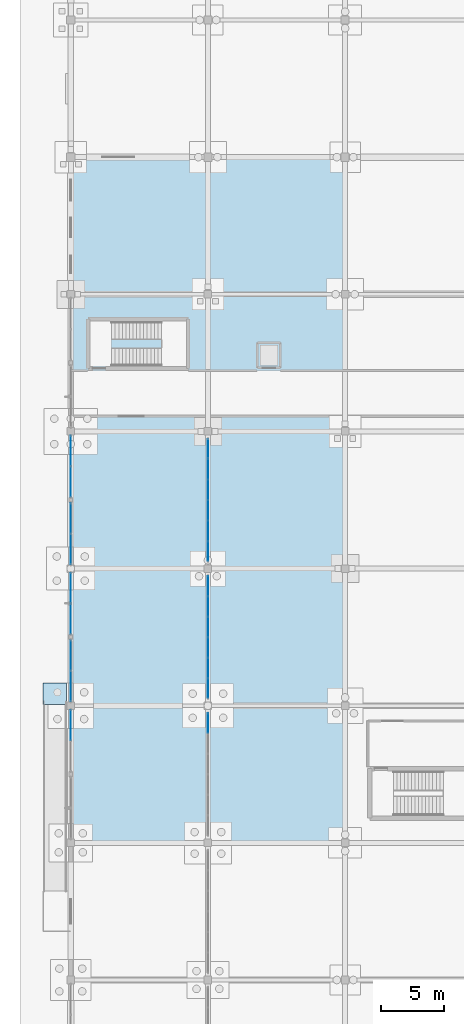
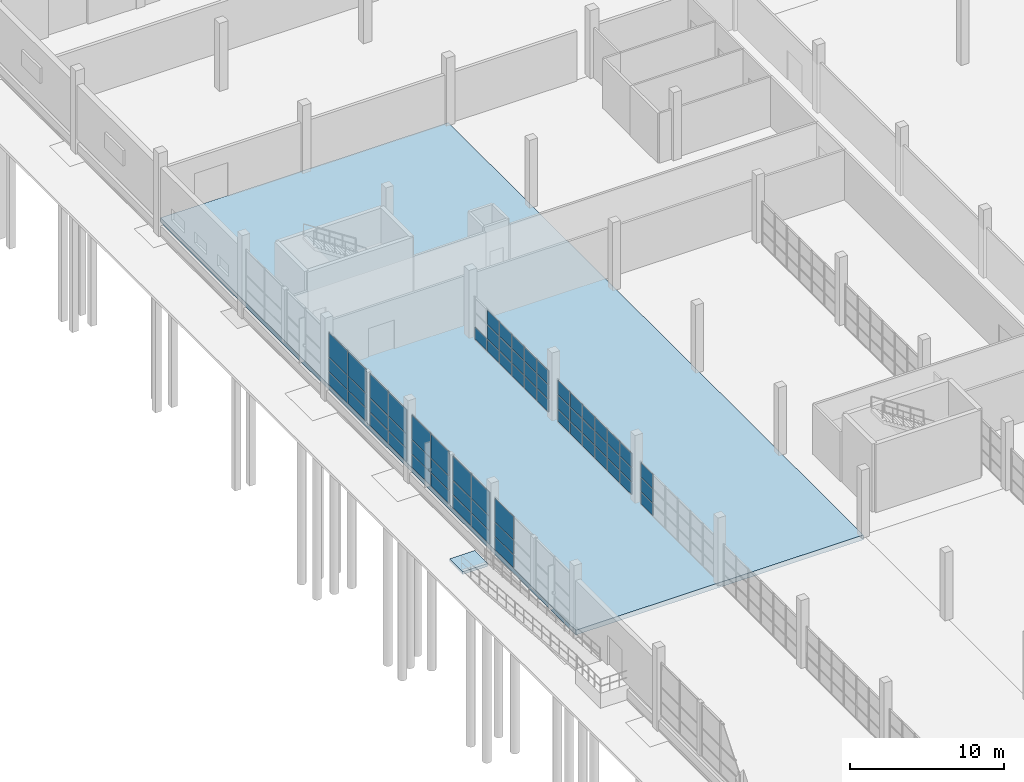
# One storey, part 87 of 138: 64 plates, 2 slabs, 8 elements without a shape of their own.
"""IFC4 building model written with IfcOpenShell, lengths in metres."""

from ifc_helpers import new_model, si_unit, direction, frame, origin, origin_2d, place, context, subcontext, project, spatial, polyline, rectangle, outline, extrude, material, layer, layer_set, type_object, element, aggregate, save


model = new_model("IFC4")

# Units and contexts
model_context = context("Model", 3, precision=1e-05, world=origin(), true_north=direction((0.0, 1.0)))
body_context = subcontext(model_context, "Body", "Model", "MODEL_VIEW")
ifc_project = project(units=[si_unit("LENGTHUNIT", "METRE"), si_unit("AREAUNIT", "SQUARE_METRE"), si_unit("VOLUMEUNIT", "CUBIC_METRE"), si_unit("PLANEANGLEUNIT", "RADIAN"), si_unit("MASSUNIT", "GRAM", prefix="KILO")], contexts=[model_context])

# Site, building, storey
site_placement = place(None, origin())
site = spatial("IfcSite", under=ifc_project, at=site_placement, CompositionType="ELEMENT")
building_placement = place(site_placement, origin())
building = spatial("IfcBuilding", under=site, at=building_placement, Name="Zwinboog Wholesale Market", CompositionType="ELEMENT")
storey_placement = place(building_placement, origin())
storey = spatial("IfcBuildingStorey", under=building, at=storey_placement, Name="L00", CompositionType="ELEMENT", Elevation=0.0)

# Slab
ifc_material_1 = material(Name="Precast concrete C45/55", Category="concrete")
ifc_layer_1 = layer(ifc_material_1, 0.3798828125)
ifc_layer_set_1 = layer_set([ifc_layer_1], Name="Precast concrete C45/55")
slab_type_1 = type_object("IfcSlabType", Name="SLT-BS-380", PredefinedType="BASESLAB", material=ifc_layer_set_1)
slab_1_placement = place(storey_placement, frame((0.0, 0.0, -0.3798828125)))
element("IfcSlab", 1, at=slab_1_placement, inside=storey, type_object=slab_type_1, Name="SB-380 (SLB-L00-003)", PredefinedType="BASESLAB", context=body_context, shape_type="SweptSolid", body=[
    extrude(outline(polyline([(0.0, 54.0), (21.60009765625, 54.0), (21.60009765625, 108.0), (0.0, 108.0), (0.0, 54.0)])), origin(), (0.0, 0.0, 1.0), 0.3798828125),
])

# Curtain wall, plates
ifc_material_2 = material(Name="Aluminium thermally broken curtain wall", Category="aluminium")
curtain_wall_type_1 = type_object("IfcCurtainWallType", Name="CWT-GAL-16", PredefinedType="USERDEFINED", material=ifc_material_2)
curtain_wall_1_placement = place(storey_placement, origin())
curtain_wall_1 = element("IfcCurtainWall", 2, at=curtain_wall_1_placement, inside=storey, type_object=curtain_wall_type_1, Name="CW-04 (CW-L00-010)", ObjectType="UNITIZED_CURTAIN_WALL", PredefinedType="USERDEFINED")
ifc_material_3 = material(Name="Double low-e insulated glazing", Category="glass")
ifc_layer_2 = layer(ifc_material_3, 0.031982421875)
ifc_layer_set_2 = layer_set([ifc_layer_2], Name="Double low-e insulated glazing")
plate_type_1 = type_object("IfcPlateType", Name="CWP-IGU-32", PredefinedType="CURTAIN_PANEL", material=ifc_layer_set_2)
plate_1_placement = place(storey_placement, frame((0.0, 63.263671875, 0.06005859375), z_axis=(0.0, 0.0, 1.0), x_axis=(0.0, 1.0, 0.0)))
plate_1 = element("IfcPlate", 3, at=plate_1_placement, type_object=plate_type_1, Name="CW-04 panel 2.1", PredefinedType="CURTAIN_PANEL", context=body_context, shape_type="SweptSolid", body=[
    extrude(rectangle(XDim=2.362548828125, YDim=0.031982421875, at=origin_2d()), origin(), (0.0, 0.0, 1.0), 1.010009765625),
])
plate_2_placement = place(storey_placement, frame((0.0, 63.263671875, 1.1298828125), z_axis=(0.0, 0.0, 1.0), x_axis=(0.0, 1.0, 0.0)))
plate_2 = element("IfcPlate", 4, at=plate_2_placement, type_object=plate_type_1, Name="CW-04 panel 2.2", PredefinedType="CURTAIN_PANEL", context=body_context, shape_type="SweptSolid", body=[
    extrude(rectangle(XDim=2.362548828125, YDim=0.031982421875, at=origin_2d()), origin(), (0.0, 0.0, 1.0), 1.090087890625),
])
plate_3_placement = place(storey_placement, frame((0.0, 63.263671875, 2.280029296875), z_axis=(0.0, 0.0, 1.0), x_axis=(0.0, 1.0, 0.0)))
plate_3 = element("IfcPlate", 5, at=plate_3_placement, type_object=plate_type_1, Name="CW-04 panel 2.3", PredefinedType="CURTAIN_PANEL", context=body_context, shape_type="SweptSolid", body=[
    extrude(rectangle(XDim=2.362548828125, YDim=0.031982421875, at=origin_2d()), origin(), (0.0, 0.0, 1.0), 1.85791015625),
])
aggregate(curtain_wall_1, [plate_1, plate_2, plate_3])

curtain_wall_type_2 = type_object("IfcCurtainWallType", Name="CWT-CAFE-22", PredefinedType="USERDEFINED", material=ifc_material_2)
curtain_wall_2_placement = place(storey_placement, origin())
curtain_wall_2 = element("IfcCurtainWall", 6, at=curtain_wall_2_placement, inside=storey, type_object=curtain_wall_type_2, Name="CW-05 (CW-L00-011)", ObjectType="STOREFRONT_GLAZING", PredefinedType="USERDEFINED")
plate_4_placement = place(storey_placement, frame((0.0, 66.33740234375, 0.06494140625), z_axis=(0.0, 0.0, 1.0), x_axis=(0.0, 1.0, 0.0)))
plate_4 = element("IfcPlate", 7, at=plate_4_placement, type_object=plate_type_1, Name="CW-05 panel 1.1", PredefinedType="CURTAIN_PANEL", context=body_context, shape_type="SweptSolid", body=[
    extrude(rectangle(XDim=2.35498046875, YDim=0.031982421875, at=origin_2d()), origin(), (0.0, 0.0, 1.0), 1.00244140625),
])
plate_5_placement = place(storey_placement, frame((0.0, 66.33740234375, 1.132568359375), z_axis=(0.0, 0.0, 1.0), x_axis=(0.0, 1.0, 0.0)))
plate_5 = element("IfcPlate", 8, at=plate_5_placement, type_object=plate_type_1, Name="CW-05 panel 1.2", PredefinedType="CURTAIN_PANEL", context=body_context, shape_type="SweptSolid", body=[
    extrude(rectangle(XDim=2.35498046875, YDim=0.031982421875, at=origin_2d()), origin(), (0.0, 0.0, 1.0), 1.0849609375),
])
plate_6_placement = place(storey_placement, frame((0.0, 66.33740234375, 2.2822265625), z_axis=(0.0, 0.0, 1.0), x_axis=(0.0, 1.0, 0.0)))
plate_6 = element("IfcPlate", 9, at=plate_6_placement, type_object=plate_type_1, Name="CW-05 panel 1.3", PredefinedType="CURTAIN_PANEL", context=body_context, shape_type="SweptSolid", body=[
    extrude(rectangle(XDim=2.35498046875, YDim=0.031982421875, at=origin_2d()), origin(), (0.0, 0.0, 1.0), 1.902587890625),
])
plate_7_placement = place(storey_placement, frame((0.0, 68.757568359375, 0.06494140625), z_axis=(0.0, 0.0, 1.0), x_axis=(0.0, 1.0, 0.0)))
plate_7 = element("IfcPlate", 10, at=plate_7_placement, type_object=plate_type_1, Name="CW-05 panel 2.1", PredefinedType="CURTAIN_PANEL", context=body_context, shape_type="SweptSolid", body=[
    extrude(rectangle(XDim=2.35498046875, YDim=0.031982421875, at=origin_2d()), origin(), (0.0, 0.0, 1.0), 1.00244140625),
])
plate_8_placement = place(storey_placement, frame((0.0, 68.757568359375, 1.132568359375), z_axis=(0.0, 0.0, 1.0), x_axis=(0.0, 1.0, 0.0)))
plate_8 = element("IfcPlate", 11, at=plate_8_placement, type_object=plate_type_1, Name="CW-05 panel 2.2", PredefinedType="CURTAIN_PANEL", context=body_context, shape_type="SweptSolid", body=[
    extrude(rectangle(XDim=2.35498046875, YDim=0.031982421875, at=origin_2d()), origin(), (0.0, 0.0, 1.0), 1.0849609375),
])
plate_9_placement = place(storey_placement, frame((0.0, 68.757568359375, 2.2822265625), z_axis=(0.0, 0.0, 1.0), x_axis=(0.0, 1.0, 0.0)))
plate_9 = element("IfcPlate", 12, at=plate_9_placement, type_object=plate_type_1, Name="CW-05 panel 2.3", PredefinedType="CURTAIN_PANEL", context=body_context, shape_type="SweptSolid", body=[
    extrude(rectangle(XDim=2.35498046875, YDim=0.031982421875, at=origin_2d()), origin(), (0.0, 0.0, 1.0), 1.902587890625),
])
aggregate(curtain_wall_2, [plate_4, plate_5, plate_6, plate_7, plate_8, plate_9])

curtain_wall_type_3 = type_object("IfcCurtainWallType", Name="CWT-OFF-15", PredefinedType="USERDEFINED", material=ifc_material_2)
curtain_wall_3_placement = place(storey_placement, origin())
curtain_wall_3 = element("IfcCurtainWall", 13, at=curtain_wall_3_placement, inside=storey, type_object=curtain_wall_type_3, Name="CW-06 (CW-L00-012)", ObjectType="UNITIZED_CURTAIN_WALL", PredefinedType="USERDEFINED")
plate_10_placement = place(storey_placement, frame((0.0, 71.641357421875, 0.06005859375), z_axis=(0.0, 0.0, 1.0), x_axis=(0.0, 1.0, 0.0)))
plate_10 = element("IfcPlate", 14, at=plate_10_placement, type_object=plate_type_1, Name="CW-06 panel 1.1", PredefinedType="CURTAIN_PANEL", context=body_context, shape_type="SweptSolid", body=[
    extrude(rectangle(XDim=2.362548828125, YDim=0.031982421875, at=origin_2d()), origin(), (0.0, 0.0, 1.0), 1.010009765625),
])
plate_11_placement = place(storey_placement, frame((0.0, 71.641357421875, 1.1298828125), z_axis=(0.0, 0.0, 1.0), x_axis=(0.0, 1.0, 0.0)))
plate_11 = element("IfcPlate", 15, at=plate_11_placement, type_object=plate_type_1, Name="CW-06 panel 1.2", PredefinedType="CURTAIN_PANEL", context=body_context, shape_type="SweptSolid", body=[
    extrude(rectangle(XDim=2.362548828125, YDim=0.031982421875, at=origin_2d()), origin(), (0.0, 0.0, 1.0), 1.090087890625),
])
plate_12_placement = place(storey_placement, frame((0.0, 71.641357421875, 2.2802734375), z_axis=(0.0, 0.0, 1.0), x_axis=(0.0, 1.0, 0.0)))
plate_12 = element("IfcPlate", 16, at=plate_12_placement, type_object=plate_type_1, Name="CW-06 panel 1.3", PredefinedType="CURTAIN_PANEL", context=body_context, shape_type="SweptSolid", body=[
    extrude(rectangle(XDim=2.362548828125, YDim=0.031982421875, at=origin_2d()), origin(), (0.0, 0.0, 1.0), 1.909912109375),
])
plate_13_placement = place(storey_placement, frame((0.0, 74.063720703125, 0.06005859375), z_axis=(0.0, 0.0, 1.0), x_axis=(0.0, 1.0, 0.0)))
plate_13 = element("IfcPlate", 17, at=plate_13_placement, type_object=plate_type_1, Name="CW-06 panel 2.1", PredefinedType="CURTAIN_PANEL", context=body_context, shape_type="SweptSolid", body=[
    extrude(rectangle(XDim=2.362548828125, YDim=0.031982421875, at=origin_2d()), origin(), (0.0, 0.0, 1.0), 1.010009765625),
])
plate_14_placement = place(storey_placement, frame((0.0, 74.063720703125, 1.1298828125), z_axis=(0.0, 0.0, 1.0), x_axis=(0.0, 1.0, 0.0)))
plate_14 = element("IfcPlate", 18, at=plate_14_placement, type_object=plate_type_1, Name="CW-06 panel 2.2", PredefinedType="CURTAIN_PANEL", context=body_context, shape_type="SweptSolid", body=[
    extrude(rectangle(XDim=2.362548828125, YDim=0.031982421875, at=origin_2d()), origin(), (0.0, 0.0, 1.0), 1.090087890625),
])
plate_15_placement = place(storey_placement, frame((0.0, 74.063720703125, 2.2802734375), z_axis=(0.0, 0.0, 1.0), x_axis=(0.0, 1.0, 0.0)))
plate_15 = element("IfcPlate", 19, at=plate_15_placement, type_object=plate_type_1, Name="CW-06 panel 2.3", PredefinedType="CURTAIN_PANEL", context=body_context, shape_type="SweptSolid", body=[
    extrude(rectangle(XDim=2.362548828125, YDim=0.031982421875, at=origin_2d()), origin(), (0.0, 0.0, 1.0), 1.909912109375),
])
aggregate(curtain_wall_3, [plate_10, plate_11, plate_12, plate_13, plate_14, plate_15])

curtain_wall_type_4 = type_object("IfcCurtainWallType", Name="CWT-STALL-18", PredefinedType="USERDEFINED", material=ifc_material_2)
curtain_wall_4_placement = place(storey_placement, origin())
curtain_wall_4 = element("IfcCurtainWall", 20, at=curtain_wall_4_placement, inside=storey, type_object=curtain_wall_type_4, Name="CW-01 (CW-L00-013)", ObjectType="STOREFRONT_GLAZING", PredefinedType="USERDEFINED")
plate_16_placement = place(storey_placement, frame((0.0, 77.137451171875, 0.06494140625), z_axis=(0.0, 0.0, 1.0), x_axis=(0.0, 1.0, 0.0)))
plate_16 = element("IfcPlate", 21, at=plate_16_placement, type_object=plate_type_1, Name="CW-01 panel 1.1", PredefinedType="CURTAIN_PANEL", context=body_context, shape_type="SweptSolid", body=[
    extrude(rectangle(XDim=2.35498046875, YDim=0.031982421875, at=origin_2d()), origin(), (0.0, 0.0, 1.0), 1.00244140625),
])
plate_17_placement = place(storey_placement, frame((0.0, 77.137451171875, 1.132568359375), z_axis=(0.0, 0.0, 1.0), x_axis=(0.0, 1.0, 0.0)))
plate_17 = element("IfcPlate", 22, at=plate_17_placement, type_object=plate_type_1, Name="CW-01 panel 1.2", PredefinedType="CURTAIN_PANEL", context=body_context, shape_type="SweptSolid", body=[
    extrude(rectangle(XDim=2.35498046875, YDim=0.031982421875, at=origin_2d()), origin(), (0.0, 0.0, 1.0), 1.0849609375),
])
plate_18_placement = place(storey_placement, frame((0.0, 77.137451171875, 2.2822265625), z_axis=(0.0, 0.0, 1.0), x_axis=(0.0, 1.0, 0.0)))
plate_18 = element("IfcPlate", 23, at=plate_18_placement, type_object=plate_type_1, Name="CW-01 panel 1.3", PredefinedType="CURTAIN_PANEL", context=body_context, shape_type="SweptSolid", body=[
    extrude(rectangle(XDim=2.35498046875, YDim=0.031982421875, at=origin_2d()), origin(), (0.0, 0.0, 1.0), 1.902587890625),
])
plate_19_placement = place(storey_placement, frame((0.0, 79.5576171875, 0.06494140625), z_axis=(0.0, 0.0, 1.0), x_axis=(0.0, 1.0, 0.0)))
plate_19 = element("IfcPlate", 24, at=plate_19_placement, type_object=plate_type_1, Name="CW-01 panel 2.1", PredefinedType="CURTAIN_PANEL", context=body_context, shape_type="SweptSolid", body=[
    extrude(rectangle(XDim=2.35498046875, YDim=0.031982421875, at=origin_2d()), origin(), (0.0, 0.0, 1.0), 1.00244140625),
])
plate_20_placement = place(storey_placement, frame((0.0, 79.5576171875, 1.132568359375), z_axis=(0.0, 0.0, 1.0), x_axis=(0.0, 1.0, 0.0)))
plate_20 = element("IfcPlate", 25, at=plate_20_placement, type_object=plate_type_1, Name="CW-01 panel 2.2", PredefinedType="CURTAIN_PANEL", context=body_context, shape_type="SweptSolid", body=[
    extrude(rectangle(XDim=2.35498046875, YDim=0.031982421875, at=origin_2d()), origin(), (0.0, 0.0, 1.0), 1.0849609375),
])
plate_21_placement = place(storey_placement, frame((0.0, 79.5576171875, 2.2822265625), z_axis=(0.0, 0.0, 1.0), x_axis=(0.0, 1.0, 0.0)))
plate_21 = element("IfcPlate", 26, at=plate_21_placement, type_object=plate_type_1, Name="CW-01 panel 2.3", PredefinedType="CURTAIN_PANEL", context=body_context, shape_type="SweptSolid", body=[
    extrude(rectangle(XDim=2.35498046875, YDim=0.031982421875, at=origin_2d()), origin(), (0.0, 0.0, 1.0), 1.902587890625),
])
aggregate(curtain_wall_4, [plate_16, plate_17, plate_18, plate_19, plate_20, plate_21])

curtain_wall_type_5 = type_object("IfcCurtainWallType", Name="CWT-STALL-20", PredefinedType="USERDEFINED", material=ifc_material_2)
curtain_wall_5_placement = place(storey_placement, origin())
curtain_wall_5 = element("IfcCurtainWall", 27, at=curtain_wall_5_placement, inside=storey, type_object=curtain_wall_type_5, Name="CW-02 (CW-L00-014)", ObjectType="STOREFRONT_GLAZING", PredefinedType="USERDEFINED")
plate_22_placement = place(storey_placement, frame((0.0, 82.441162109375, 0.06005859375), z_axis=(0.0, 0.0, 1.0), x_axis=(0.0, 1.0, 0.0)))
plate_22 = element("IfcPlate", 28, at=plate_22_placement, type_object=plate_type_1, Name="CW-02 panel 1.1", PredefinedType="CURTAIN_PANEL", context=body_context, shape_type="SweptSolid", body=[
    extrude(rectangle(XDim=2.362548828125, YDim=0.031982421875, at=origin_2d()), origin(), (0.0, 0.0, 1.0), 1.010009765625),
])
plate_23_placement = place(storey_placement, frame((0.0, 82.441162109375, 1.1298828125), z_axis=(0.0, 0.0, 1.0), x_axis=(0.0, 1.0, 0.0)))
plate_23 = element("IfcPlate", 29, at=plate_23_placement, type_object=plate_type_1, Name="CW-02 panel 1.2", PredefinedType="CURTAIN_PANEL", context=body_context, shape_type="SweptSolid", body=[
    extrude(rectangle(XDim=2.362548828125, YDim=0.031982421875, at=origin_2d()), origin(), (0.0, 0.0, 1.0), 1.090087890625),
])
plate_24_placement = place(storey_placement, frame((0.0, 82.441162109375, 2.2802734375), z_axis=(0.0, 0.0, 1.0), x_axis=(0.0, 1.0, 0.0)))
plate_24 = element("IfcPlate", 30, at=plate_24_placement, type_object=plate_type_1, Name="CW-02 panel 1.3", PredefinedType="CURTAIN_PANEL", context=body_context, shape_type="SweptSolid", body=[
    extrude(rectangle(XDim=2.362548828125, YDim=0.031982421875, at=origin_2d()), origin(), (0.0, 0.0, 1.0), 1.909912109375),
])
plate_25_placement = place(storey_placement, frame((0.0, 84.86376953125, 0.06005859375), z_axis=(0.0, 0.0, 1.0), x_axis=(0.0, 1.0, 0.0)))
plate_25 = element("IfcPlate", 31, at=plate_25_placement, type_object=plate_type_1, Name="CW-02 panel 2.1", PredefinedType="CURTAIN_PANEL", context=body_context, shape_type="SweptSolid", body=[
    extrude(rectangle(XDim=2.362548828125, YDim=0.031982421875, at=origin_2d()), origin(), (0.0, 0.0, 1.0), 1.010009765625),
])
plate_26_placement = place(storey_placement, frame((0.0, 84.86376953125, 1.1298828125), z_axis=(0.0, 0.0, 1.0), x_axis=(0.0, 1.0, 0.0)))
plate_26 = element("IfcPlate", 32, at=plate_26_placement, type_object=plate_type_1, Name="CW-02 panel 2.2", PredefinedType="CURTAIN_PANEL", context=body_context, shape_type="SweptSolid", body=[
    extrude(rectangle(XDim=2.362548828125, YDim=0.031982421875, at=origin_2d()), origin(), (0.0, 0.0, 1.0), 1.090087890625),
])
plate_27_placement = place(storey_placement, frame((0.0, 84.86376953125, 2.2802734375), z_axis=(0.0, 0.0, 1.0), x_axis=(0.0, 1.0, 0.0)))
plate_27 = element("IfcPlate", 33, at=plate_27_placement, type_object=plate_type_1, Name="CW-02 panel 2.3", PredefinedType="CURTAIN_PANEL", context=body_context, shape_type="SweptSolid", body=[
    extrude(rectangle(XDim=2.362548828125, YDim=0.031982421875, at=origin_2d()), origin(), (0.0, 0.0, 1.0), 1.909912109375),
])
aggregate(curtain_wall_5, [plate_22, plate_23, plate_24, plate_25, plate_26, plate_27])

curtain_wall_type_6 = type_object("IfcCurtainWallType", Name="CWT-INT-STALL", PredefinedType="USERDEFINED", material=ifc_material_2)
curtain_wall_6_placement = place(storey_placement, origin())
curtain_wall_6 = element("IfcCurtainWall", 34, at=curtain_wall_6_placement, inside=storey, type_object=curtain_wall_type_6, Name="CW-07 (CW-STL-214)", ObjectType="STOREFRONT_GLAZING", PredefinedType="USERDEFINED")
ifc_material_4 = material(Name="Tempered laminated market stall glazing", Category="glass")
ifc_layer_3 = layer(ifc_material_4, 0.01611328125)
ifc_layer_set_3 = layer_set([ifc_layer_3], Name="Tempered laminated market stall glazing")
plate_type_2 = type_object("IfcPlateType", Name="CWP-INT-16", PredefinedType="CURTAIN_PANEL", material=ifc_layer_set_3)
plate_28_placement = place(storey_placement, frame((10.800048828125, 63.4267578125, 0.06005859375), z_axis=(0.0, 0.0, 1.0), x_axis=(0.0, 1.0, 0.0)))
plate_28 = element("IfcPlate", 35, at=plate_28_placement, type_object=plate_type_2, Name="CW-07 panel 6.1", PredefinedType="CURTAIN_PANEL", context=body_context, shape_type="SweptSolid", body=[
    extrude(rectangle(XDim=1.526611328125, YDim=0.01611328125, at=origin_2d()), origin(), (0.0, 0.0, 1.0), 0.9599609375),
])
plate_29_placement = place(storey_placement, frame((10.800048828125, 63.4267578125, 1.080078125), z_axis=(0.0, 0.0, 1.0), x_axis=(0.0, 1.0, 0.0)))
plate_29 = element("IfcPlate", 36, at=plate_29_placement, type_object=plate_type_2, Name="CW-07 panel 6.2", PredefinedType="CURTAIN_PANEL", context=body_context, shape_type="SweptSolid", body=[
    extrude(rectangle(XDim=1.526611328125, YDim=0.01611328125, at=origin_2d()), origin(), (0.0, 0.0, 1.0), 1.090087890625),
])
plate_30_placement = place(storey_placement, frame((10.800048828125, 63.4267578125, 2.22998046875), z_axis=(0.0, 0.0, 1.0), x_axis=(0.0, 1.0, 0.0)))
plate_30 = element("IfcPlate", 37, at=plate_30_placement, type_object=plate_type_2, Name="CW-07 panel 6.3", PredefinedType="CURTAIN_PANEL", context=body_context, shape_type="SweptSolid", body=[
    extrude(rectangle(XDim=1.526611328125, YDim=0.01611328125, at=origin_2d()), origin(), (0.0, 0.0, 1.0), 1.110107421875),
])
aggregate(curtain_wall_6, [plate_28, plate_29, plate_30])

curtain_wall_7_placement = place(storey_placement, origin())
curtain_wall_7 = element("IfcCurtainWall", 38, at=curtain_wall_7_placement, inside=storey, type_object=curtain_wall_type_6, Name="CW-07 (CW-STL-215)", ObjectType="STOREFRONT_GLAZING", PredefinedType="USERDEFINED")
plate_31_placement = place(storey_placement, frame((10.800048828125, 66.17333984375, 0.06005859375), z_axis=(0.0, 0.0, 1.0), x_axis=(0.0, 1.0, 0.0)))
plate_31 = element("IfcPlate", 39, at=plate_31_placement, type_object=plate_type_2, Name="CW-07 panel 1.1", PredefinedType="CURTAIN_PANEL", context=body_context, shape_type="SweptSolid", body=[
    extrude(rectangle(XDim=1.526611328125, YDim=0.01611328125, at=origin_2d()), origin(), (0.0, 0.0, 1.0), 0.9599609375),
])
plate_32_placement = place(storey_placement, frame((10.800048828125, 66.17333984375, 1.080078125), z_axis=(0.0, 0.0, 1.0), x_axis=(0.0, 1.0, 0.0)))
plate_32 = element("IfcPlate", 40, at=plate_32_placement, type_object=plate_type_2, Name="CW-07 panel 1.2", PredefinedType="CURTAIN_PANEL", context=body_context, shape_type="SweptSolid", body=[
    extrude(rectangle(XDim=1.526611328125, YDim=0.01611328125, at=origin_2d()), origin(), (0.0, 0.0, 1.0), 1.090087890625),
])
plate_33_placement = place(storey_placement, frame((10.800048828125, 66.17333984375, 2.22998046875), z_axis=(0.0, 0.0, 1.0), x_axis=(0.0, 1.0, 0.0)))
plate_33 = element("IfcPlate", 41, at=plate_33_placement, type_object=plate_type_2, Name="CW-07 panel 1.3", PredefinedType="CURTAIN_PANEL", context=body_context, shape_type="SweptSolid", body=[
    extrude(rectangle(XDim=1.526611328125, YDim=0.01611328125, at=origin_2d()), origin(), (0.0, 0.0, 1.0), 1.110107421875),
])
plate_34_placement = place(storey_placement, frame((10.800048828125, 67.77490234375, 0.06005859375), z_axis=(0.0, 0.0, 1.0), x_axis=(0.0, 1.0, 0.0)))
plate_34 = element("IfcPlate", 42, at=plate_34_placement, type_object=plate_type_2, Name="CW-07 panel 2.1", PredefinedType="CURTAIN_PANEL", context=body_context, shape_type="SweptSolid", body=[
    extrude(rectangle(XDim=1.556640625, YDim=0.01611328125, at=origin_2d()), origin(), (0.0, 0.0, 1.0), 0.9599609375),
])
plate_35_placement = place(storey_placement, frame((10.800048828125, 67.77490234375, 1.080078125), z_axis=(0.0, 0.0, 1.0), x_axis=(0.0, 1.0, 0.0)))
plate_35 = element("IfcPlate", 43, at=plate_35_placement, type_object=plate_type_2, Name="CW-07 panel 2.2", PredefinedType="CURTAIN_PANEL", context=body_context, shape_type="SweptSolid", body=[
    extrude(rectangle(XDim=1.556640625, YDim=0.01611328125, at=origin_2d()), origin(), (0.0, 0.0, 1.0), 1.090087890625),
])
plate_36_placement = place(storey_placement, frame((10.800048828125, 67.77490234375, 2.22998046875), z_axis=(0.0, 0.0, 1.0), x_axis=(0.0, 1.0, 0.0)))
plate_36 = element("IfcPlate", 44, at=plate_36_placement, type_object=plate_type_2, Name="CW-07 panel 2.3", PredefinedType="CURTAIN_PANEL", context=body_context, shape_type="SweptSolid", body=[
    extrude(rectangle(XDim=1.556640625, YDim=0.01611328125, at=origin_2d()), origin(), (0.0, 0.0, 1.0), 1.110107421875),
])
plate_37_placement = place(storey_placement, frame((10.800048828125, 69.3916015625, 0.06005859375), z_axis=(0.0, 0.0, 1.0), x_axis=(0.0, 1.0, 0.0)))
plate_37 = element("IfcPlate", 45, at=plate_37_placement, type_object=plate_type_2, Name="CW-07 panel 3.1", PredefinedType="CURTAIN_PANEL", context=body_context, shape_type="SweptSolid", body=[
    extrude(rectangle(XDim=1.556640625, YDim=0.01611328125, at=origin_2d()), origin(), (0.0, 0.0, 1.0), 0.9599609375),
])
plate_38_placement = place(storey_placement, frame((10.800048828125, 69.3916015625, 1.080078125), z_axis=(0.0, 0.0, 1.0), x_axis=(0.0, 1.0, 0.0)))
plate_38 = element("IfcPlate", 46, at=plate_38_placement, type_object=plate_type_2, Name="CW-07 panel 3.2", PredefinedType="CURTAIN_PANEL", context=body_context, shape_type="SweptSolid", body=[
    extrude(rectangle(XDim=1.556640625, YDim=0.01611328125, at=origin_2d()), origin(), (0.0, 0.0, 1.0), 1.090087890625),
])
plate_39_placement = place(storey_placement, frame((10.800048828125, 69.3916015625, 2.22998046875), z_axis=(0.0, 0.0, 1.0), x_axis=(0.0, 1.0, 0.0)))
plate_39 = element("IfcPlate", 47, at=plate_39_placement, type_object=plate_type_2, Name="CW-07 panel 3.3", PredefinedType="CURTAIN_PANEL", context=body_context, shape_type="SweptSolid", body=[
    extrude(rectangle(XDim=1.556640625, YDim=0.01611328125, at=origin_2d()), origin(), (0.0, 0.0, 1.0), 1.110107421875),
])
plate_40_placement = place(storey_placement, frame((10.800048828125, 71.00830078125, 0.06005859375), z_axis=(0.0, 0.0, 1.0), x_axis=(0.0, 1.0, 0.0)))
plate_40 = element("IfcPlate", 48, at=plate_40_placement, type_object=plate_type_2, Name="CW-07 panel 4.1", PredefinedType="CURTAIN_PANEL", context=body_context, shape_type="SweptSolid", body=[
    extrude(rectangle(XDim=1.556640625, YDim=0.01611328125, at=origin_2d()), origin(), (0.0, 0.0, 1.0), 0.9599609375),
])
plate_41_placement = place(storey_placement, frame((10.800048828125, 71.00830078125, 1.080078125), z_axis=(0.0, 0.0, 1.0), x_axis=(0.0, 1.0, 0.0)))
plate_41 = element("IfcPlate", 49, at=plate_41_placement, type_object=plate_type_2, Name="CW-07 panel 4.2", PredefinedType="CURTAIN_PANEL", context=body_context, shape_type="SweptSolid", body=[
    extrude(rectangle(XDim=1.556640625, YDim=0.01611328125, at=origin_2d()), origin(), (0.0, 0.0, 1.0), 1.090087890625),
])
plate_42_placement = place(storey_placement, frame((10.800048828125, 71.00830078125, 2.22998046875), z_axis=(0.0, 0.0, 1.0), x_axis=(0.0, 1.0, 0.0)))
plate_42 = element("IfcPlate", 50, at=plate_42_placement, type_object=plate_type_2, Name="CW-07 panel 4.3", PredefinedType="CURTAIN_PANEL", context=body_context, shape_type="SweptSolid", body=[
    extrude(rectangle(XDim=1.556640625, YDim=0.01611328125, at=origin_2d()), origin(), (0.0, 0.0, 1.0), 1.110107421875),
])
plate_43_placement = place(storey_placement, frame((10.800048828125, 72.625, 0.06005859375), z_axis=(0.0, 0.0, 1.0), x_axis=(0.0, 1.0, 0.0)))
plate_43 = element("IfcPlate", 51, at=plate_43_placement, type_object=plate_type_2, Name="CW-07 panel 5.1", PredefinedType="CURTAIN_PANEL", context=body_context, shape_type="SweptSolid", body=[
    extrude(rectangle(XDim=1.556640625, YDim=0.01611328125, at=origin_2d()), origin(), (0.0, 0.0, 1.0), 0.9599609375),
])
plate_44_placement = place(storey_placement, frame((10.800048828125, 72.625, 1.080078125), z_axis=(0.0, 0.0, 1.0), x_axis=(0.0, 1.0, 0.0)))
plate_44 = element("IfcPlate", 52, at=plate_44_placement, type_object=plate_type_2, Name="CW-07 panel 5.2", PredefinedType="CURTAIN_PANEL", context=body_context, shape_type="SweptSolid", body=[
    extrude(rectangle(XDim=1.556640625, YDim=0.01611328125, at=origin_2d()), origin(), (0.0, 0.0, 1.0), 1.090087890625),
])
plate_45_placement = place(storey_placement, frame((10.800048828125, 72.625, 2.22998046875), z_axis=(0.0, 0.0, 1.0), x_axis=(0.0, 1.0, 0.0)))
plate_45 = element("IfcPlate", 53, at=plate_45_placement, type_object=plate_type_2, Name="CW-07 panel 5.3", PredefinedType="CURTAIN_PANEL", context=body_context, shape_type="SweptSolid", body=[
    extrude(rectangle(XDim=1.556640625, YDim=0.01611328125, at=origin_2d()), origin(), (0.0, 0.0, 1.0), 1.110107421875),
])
plate_46_placement = place(storey_placement, frame((10.800048828125, 74.2265625, 0.06005859375), z_axis=(0.0, 0.0, 1.0), x_axis=(0.0, 1.0, 0.0)))
plate_46 = element("IfcPlate", 54, at=plate_46_placement, type_object=plate_type_2, Name="CW-07 panel 6.1", PredefinedType="CURTAIN_PANEL", context=body_context, shape_type="SweptSolid", body=[
    extrude(rectangle(XDim=1.526611328125, YDim=0.01611328125, at=origin_2d()), origin(), (0.0, 0.0, 1.0), 0.9599609375),
])
plate_47_placement = place(storey_placement, frame((10.800048828125, 74.2265625, 1.080078125), z_axis=(0.0, 0.0, 1.0), x_axis=(0.0, 1.0, 0.0)))
plate_47 = element("IfcPlate", 55, at=plate_47_placement, type_object=plate_type_2, Name="CW-07 panel 6.2", PredefinedType="CURTAIN_PANEL", context=body_context, shape_type="SweptSolid", body=[
    extrude(rectangle(XDim=1.526611328125, YDim=0.01611328125, at=origin_2d()), origin(), (0.0, 0.0, 1.0), 1.090087890625),
])
plate_48_placement = place(storey_placement, frame((10.800048828125, 74.2265625, 2.22998046875), z_axis=(0.0, 0.0, 1.0), x_axis=(0.0, 1.0, 0.0)))
plate_48 = element("IfcPlate", 56, at=plate_48_placement, type_object=plate_type_2, Name="CW-07 panel 6.3", PredefinedType="CURTAIN_PANEL", context=body_context, shape_type="SweptSolid", body=[
    extrude(rectangle(XDim=1.526611328125, YDim=0.01611328125, at=origin_2d()), origin(), (0.0, 0.0, 1.0), 1.110107421875),
])
aggregate(curtain_wall_7, [plate_31, plate_32, plate_33, plate_34, plate_35, plate_36, plate_37, plate_38, plate_39, plate_40, plate_41, plate_42, plate_43, plate_44, plate_45, plate_46, plate_47, plate_48])

curtain_wall_8_placement = place(storey_placement, origin())
curtain_wall_8 = element("IfcCurtainWall", 57, at=curtain_wall_8_placement, inside=storey, type_object=curtain_wall_type_6, Name="CW-07 (CW-STL-216)", ObjectType="STOREFRONT_GLAZING", PredefinedType="USERDEFINED")
plate_49_placement = place(storey_placement, frame((10.800048828125, 76.973388671875, 0.06005859375), z_axis=(0.0, 0.0, 1.0), x_axis=(0.0, 1.0, 0.0)))
plate_49 = element("IfcPlate", 58, at=plate_49_placement, type_object=plate_type_2, Name="CW-07 panel 1.1", PredefinedType="CURTAIN_PANEL", context=body_context, shape_type="SweptSolid", body=[
    extrude(rectangle(XDim=1.526611328125, YDim=0.01611328125, at=origin_2d()), origin(), (0.0, 0.0, 1.0), 0.9599609375),
])
plate_50_placement = place(storey_placement, frame((10.800048828125, 76.973388671875, 1.080078125), z_axis=(0.0, 0.0, 1.0), x_axis=(0.0, 1.0, 0.0)))
plate_50 = element("IfcPlate", 59, at=plate_50_placement, type_object=plate_type_2, Name="CW-07 panel 1.2", PredefinedType="CURTAIN_PANEL", context=body_context, shape_type="SweptSolid", body=[
    extrude(rectangle(XDim=1.526611328125, YDim=0.01611328125, at=origin_2d()), origin(), (0.0, 0.0, 1.0), 1.090087890625),
])
plate_51_placement = place(storey_placement, frame((10.800048828125, 76.973388671875, 2.22998046875), z_axis=(0.0, 0.0, 1.0), x_axis=(0.0, 1.0, 0.0)))
plate_51 = element("IfcPlate", 60, at=plate_51_placement, type_object=plate_type_2, Name="CW-07 panel 1.3", PredefinedType="CURTAIN_PANEL", context=body_context, shape_type="SweptSolid", body=[
    extrude(rectangle(XDim=1.526611328125, YDim=0.01611328125, at=origin_2d()), origin(), (0.0, 0.0, 1.0), 1.110107421875),
])
plate_52_placement = place(storey_placement, frame((10.800048828125, 78.574951171875, 0.06005859375), z_axis=(0.0, 0.0, 1.0), x_axis=(0.0, 1.0, 0.0)))
plate_52 = element("IfcPlate", 61, at=plate_52_placement, type_object=plate_type_2, Name="CW-07 panel 2.1", PredefinedType="CURTAIN_PANEL", context=body_context, shape_type="SweptSolid", body=[
    extrude(rectangle(XDim=1.556640625, YDim=0.01611328125, at=origin_2d()), origin(), (0.0, 0.0, 1.0), 0.9599609375),
])
plate_53_placement = place(storey_placement, frame((10.800048828125, 78.574951171875, 1.080078125), z_axis=(0.0, 0.0, 1.0), x_axis=(0.0, 1.0, 0.0)))
plate_53 = element("IfcPlate", 62, at=plate_53_placement, type_object=plate_type_2, Name="CW-07 panel 2.2", PredefinedType="CURTAIN_PANEL", context=body_context, shape_type="SweptSolid", body=[
    extrude(rectangle(XDim=1.556640625, YDim=0.01611328125, at=origin_2d()), origin(), (0.0, 0.0, 1.0), 1.090087890625),
])
plate_54_placement = place(storey_placement, frame((10.800048828125, 78.574951171875, 2.22998046875), z_axis=(0.0, 0.0, 1.0), x_axis=(0.0, 1.0, 0.0)))
plate_54 = element("IfcPlate", 63, at=plate_54_placement, type_object=plate_type_2, Name="CW-07 panel 2.3", PredefinedType="CURTAIN_PANEL", context=body_context, shape_type="SweptSolid", body=[
    extrude(rectangle(XDim=1.556640625, YDim=0.01611328125, at=origin_2d()), origin(), (0.0, 0.0, 1.0), 1.110107421875),
])
plate_55_placement = place(storey_placement, frame((10.800048828125, 80.191650390625, 0.06005859375), z_axis=(0.0, 0.0, 1.0), x_axis=(0.0, 1.0, 0.0)))
plate_55 = element("IfcPlate", 64, at=plate_55_placement, type_object=plate_type_2, Name="CW-07 panel 3.1", PredefinedType="CURTAIN_PANEL", context=body_context, shape_type="SweptSolid", body=[
    extrude(rectangle(XDim=1.556640625, YDim=0.01611328125, at=origin_2d()), origin(), (0.0, 0.0, 1.0), 0.9599609375),
])
plate_56_placement = place(storey_placement, frame((10.800048828125, 80.191650390625, 1.080078125), z_axis=(0.0, 0.0, 1.0), x_axis=(0.0, 1.0, 0.0)))
plate_56 = element("IfcPlate", 65, at=plate_56_placement, type_object=plate_type_2, Name="CW-07 panel 3.2", PredefinedType="CURTAIN_PANEL", context=body_context, shape_type="SweptSolid", body=[
    extrude(rectangle(XDim=1.556640625, YDim=0.01611328125, at=origin_2d()), origin(), (0.0, 0.0, 1.0), 1.090087890625),
])
plate_57_placement = place(storey_placement, frame((10.800048828125, 80.191650390625, 2.22998046875), z_axis=(0.0, 0.0, 1.0), x_axis=(0.0, 1.0, 0.0)))
plate_57 = element("IfcPlate", 66, at=plate_57_placement, type_object=plate_type_2, Name="CW-07 panel 3.3", PredefinedType="CURTAIN_PANEL", context=body_context, shape_type="SweptSolid", body=[
    extrude(rectangle(XDim=1.556640625, YDim=0.01611328125, at=origin_2d()), origin(), (0.0, 0.0, 1.0), 1.110107421875),
])
plate_58_placement = place(storey_placement, frame((10.800048828125, 81.808349609375, 0.06005859375), z_axis=(0.0, 0.0, 1.0), x_axis=(0.0, 1.0, 0.0)))
plate_58 = element("IfcPlate", 67, at=plate_58_placement, type_object=plate_type_2, Name="CW-07 panel 4.1", PredefinedType="CURTAIN_PANEL", context=body_context, shape_type="SweptSolid", body=[
    extrude(rectangle(XDim=1.556640625, YDim=0.01611328125, at=origin_2d()), origin(), (0.0, 0.0, 1.0), 0.9599609375),
])
plate_59_placement = place(storey_placement, frame((10.800048828125, 81.808349609375, 1.080078125), z_axis=(0.0, 0.0, 1.0), x_axis=(0.0, 1.0, 0.0)))
plate_59 = element("IfcPlate", 68, at=plate_59_placement, type_object=plate_type_2, Name="CW-07 panel 4.2", PredefinedType="CURTAIN_PANEL", context=body_context, shape_type="SweptSolid", body=[
    extrude(rectangle(XDim=1.556640625, YDim=0.01611328125, at=origin_2d()), origin(), (0.0, 0.0, 1.0), 1.090087890625),
])
plate_60_placement = place(storey_placement, frame((10.800048828125, 81.808349609375, 2.22998046875), z_axis=(0.0, 0.0, 1.0), x_axis=(0.0, 1.0, 0.0)))
plate_60 = element("IfcPlate", 69, at=plate_60_placement, type_object=plate_type_2, Name="CW-07 panel 4.3", PredefinedType="CURTAIN_PANEL", context=body_context, shape_type="SweptSolid", body=[
    extrude(rectangle(XDim=1.556640625, YDim=0.01611328125, at=origin_2d()), origin(), (0.0, 0.0, 1.0), 1.110107421875),
])
plate_61_placement = place(storey_placement, frame((10.800048828125, 83.425048828125, 0.06005859375), z_axis=(0.0, 0.0, 1.0), x_axis=(0.0, 1.0, 0.0)))
plate_61 = element("IfcPlate", 70, at=plate_61_placement, type_object=plate_type_2, Name="CW-07 panel 5.1", PredefinedType="CURTAIN_PANEL", context=body_context, shape_type="SweptSolid", body=[
    extrude(rectangle(XDim=1.556640625, YDim=0.01611328125, at=origin_2d()), origin(), (0.0, 0.0, 1.0), 0.9599609375),
])
plate_62_placement = place(storey_placement, frame((10.800048828125, 83.425048828125, 1.080078125), z_axis=(0.0, 0.0, 1.0), x_axis=(0.0, 1.0, 0.0)))
plate_62 = element("IfcPlate", 71, at=plate_62_placement, type_object=plate_type_2, Name="CW-07 panel 5.2", PredefinedType="CURTAIN_PANEL", context=body_context, shape_type="SweptSolid", body=[
    extrude(rectangle(XDim=1.556640625, YDim=0.01611328125, at=origin_2d()), origin(), (0.0, 0.0, 1.0), 1.090087890625),
])
plate_63_placement = place(storey_placement, frame((10.800048828125, 83.425048828125, 2.22998046875), z_axis=(0.0, 0.0, 1.0), x_axis=(0.0, 1.0, 0.0)))
plate_63 = element("IfcPlate", 72, at=plate_63_placement, type_object=plate_type_2, Name="CW-07 panel 5.3", PredefinedType="CURTAIN_PANEL", context=body_context, shape_type="SweptSolid", body=[
    extrude(rectangle(XDim=1.556640625, YDim=0.01611328125, at=origin_2d()), origin(), (0.0, 0.0, 1.0), 1.110107421875),
])
plate_64_placement = place(storey_placement, frame((10.800048828125, 85.026611328125, 0.06005859375), z_axis=(0.0, 0.0, 1.0), x_axis=(0.0, 1.0, 0.0)))
plate_64 = element("IfcPlate", 73, at=plate_64_placement, type_object=plate_type_2, Name="CW-07 panel 6.1", PredefinedType="CURTAIN_PANEL", context=body_context, shape_type="SweptSolid", body=[
    extrude(rectangle(XDim=1.526611328125, YDim=0.01611328125, at=origin_2d()), origin(), (0.0, 0.0, 1.0), 0.9599609375),
])
aggregate(curtain_wall_8, [plate_49, plate_50, plate_51, plate_52, plate_53, plate_54, plate_55, plate_56, plate_57, plate_58, plate_59, plate_60, plate_61, plate_62, plate_63, plate_64])

# Slab
ifc_material_5 = material(Name="Concrete C40/50", Category="concrete")
ifc_layer_4 = layer(ifc_material_5, 0.219970703125)
ifc_layer_set_4 = layer_set([ifc_layer_4], Name="Concrete C40/50")
slab_type_2 = type_object("IfcSlabType", Name="SLT-LND-220", PredefinedType="LANDING", material=ifc_layer_set_4)
slab_2_placement = place(storey_placement, frame((0.0, 0.0, -1.419921875)))
element("IfcSlab", 74, at=slab_2_placement, inside=storey, type_object=slab_type_2, Name="SL-220 (SLB-STP-01-TOE)", PredefinedType="LANDING", context=body_context, shape_type="SweptSolid", body=[
    extrude(outline(polyline([(-2.199951171875, 64.89990234375), (-0.320068359375, 64.89990234375), (-0.320068359375, 66.60009765625), (-2.199951171875, 66.60009765625), (-2.199951171875, 64.89990234375)])), origin(), (0.0, 0.0, 1.0), 0.219970703125),
])

save(model, "model.ifc")
